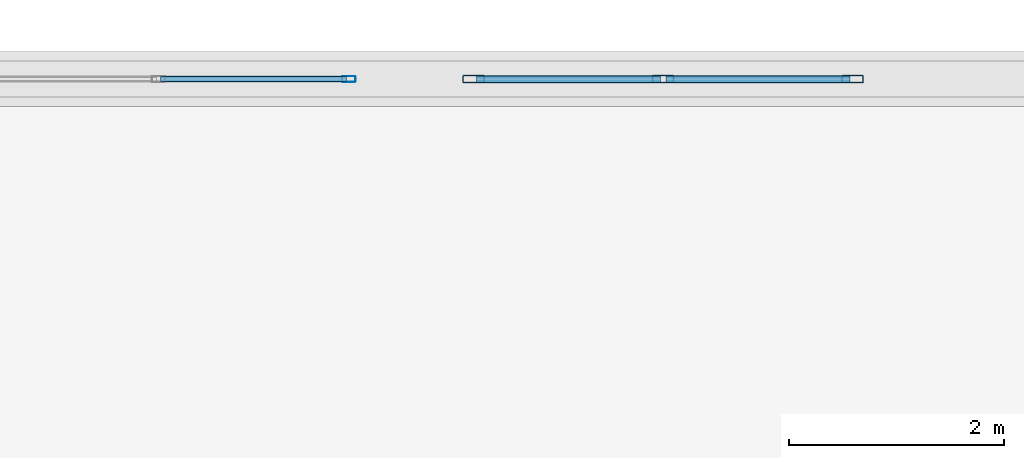
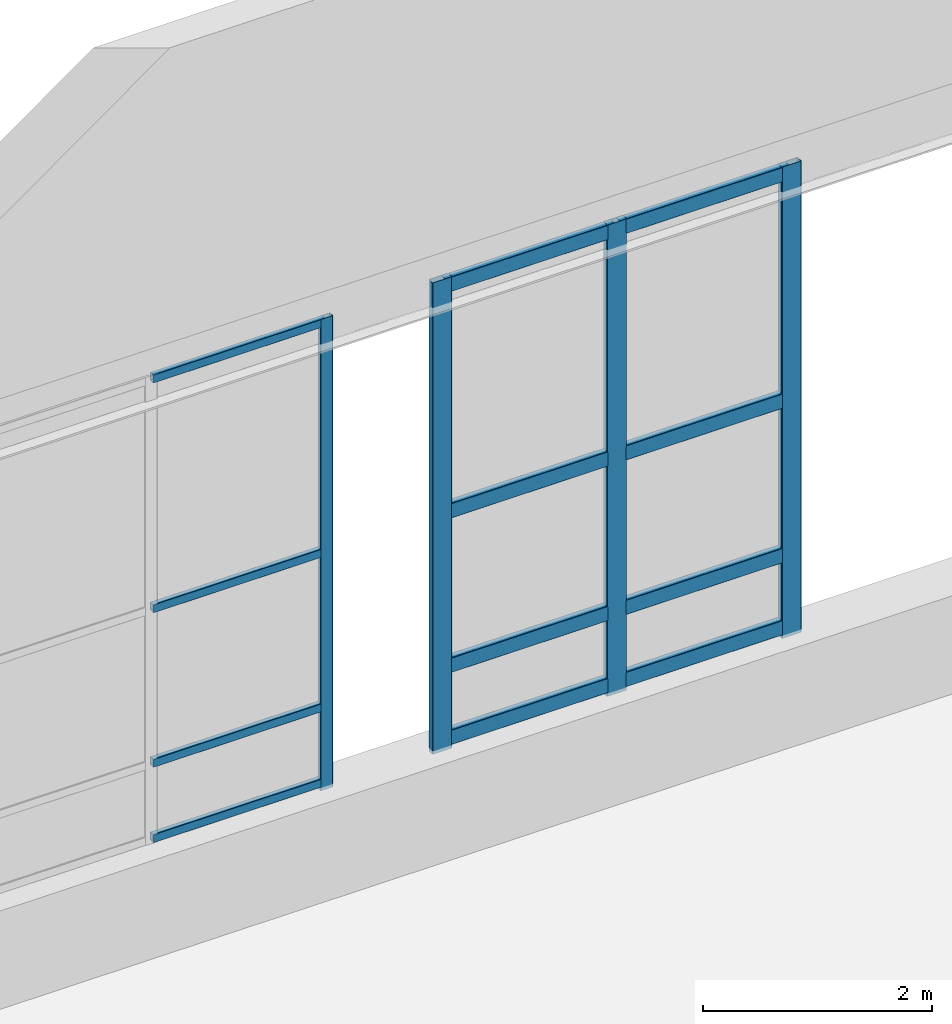
# One storey, part 152 of 197: 16 members, 2 elements without a shape of their own.
"""IFC4 building model written with IfcOpenShell, lengths in metres."""

from ifc_helpers import new_model, si_unit, derived_unit, direction, frame, origin, origin_2d, place, context, subcontext, project, spatial, hollow_rectangle, extrude, material, layer, layer_set, material_profile, profile_set, type_object, element, aggregate, save


model = new_model("IFC4")

# Units and contexts
model_context = context("Model", 3, precision=1e-05, world=origin(), true_north=direction((0.0, 1.0)))
body_context = subcontext(model_context, "Body", "Model", "MODEL_VIEW")
ifc_project = project(units=[si_unit("LENGTHUNIT", "METRE"), si_unit("AREAUNIT", "SQUARE_METRE"), si_unit("VOLUMEUNIT", "CUBIC_METRE"), si_unit("PLANEANGLEUNIT", "RADIAN"), si_unit("MASSUNIT", "GRAM", prefix="KILO"), derived_unit("THERMALTRANSMITTANCEUNIT", [(si_unit("POWERUNIT", "WATT"), 1), (si_unit("LENGTHUNIT", "METRE"), -2), (si_unit("THERMODYNAMICTEMPERATUREUNIT", "KELVIN"), -1)])], contexts=[model_context])

# Site, building, storey
site_placement = place(None, origin())
site = spatial("IfcSite", under=ifc_project, at=site_placement, CompositionType="ELEMENT")
building_placement = place(site_placement, origin())
building = spatial("IfcBuilding", under=site, at=building_placement, Name="Almenara Railside Exhibition Hall", CompositionType="ELEMENT")
storey_placement = place(building_placement, frame((0.0, 0.0, 5.39990234375)))
storey = spatial("IfcBuildingStorey", under=building, at=storey_placement, Name="L01", CompositionType="ELEMENT", Elevation=5.39990234375)

# Curtain wall, member
ifc_material_1 = material(Name="Bronze-anodised aluminium and low-E double glazing", Category="aluminium")
ifc_layer = layer(ifc_material_1, 0.179931640625, Name="Bronze-anodised aluminium and low-E double glazing")
ifc_layer_set = layer_set([ifc_layer], Name="Bronze-anodised aluminium and low-E double glazing")
curtain_wall_type = type_object("IfcCurtainWallType", Name="Scroll Gable Standard Curtain Wall 3600x5000", PredefinedType="NOTDEFINED", material=ifc_layer_set)
curtain_wall_1_placement = place(storey_placement, origin())
curtain_wall_1 = element("IfcCurtainWall", 1, at=curtain_wall_1_placement, inside=storey, type_object=curtain_wall_type, Name="Curtain wall CW-G2-091", PredefinedType="NOTDEFINED")
ifc_material_2 = material(Name="Bronze-anodised aluminium", Category="aluminium")
ifc_material_profile_1 = material_profile(ifc_material_2, hollow_rectangle(XDim=0.054931640625, YDim=0.125, WallThickness=0.0029296875, InnerFilletRadius=0.0029296875, OuterFilletRadius=0.006103515625, at=origin_2d()), Name="ALU-MUL 55x125x3")
ifc_profile_set_1 = profile_set([ifc_material_profile_1], Name="Bronze-anodised aluminium")
member_type_1 = type_object("IfcMemberType", Name="Curtain Wall Mullion 55x125x3", PredefinedType="MULLION", material=ifc_profile_set_1)
member_1_placement = place(storey_placement, frame((176.472412109375, 132.0, 1.01513671875), z_axis=(0.0, 0.0, 1.0), x_axis=(0.0, 1.0, 0.0)))
member_1 = element("IfcMember", 2, at=member_1_placement, type_object=member_type_1, Name="CW-G2-091 mullion 3", PredefinedType="MULLION", context=body_context, shape_type="SweptSolid", body=[
    extrude(hollow_rectangle(XDim=0.054931640625, YDim=0.125, WallThickness=0.0029296875, InnerFilletRadius=0.0029296875, OuterFilletRadius=0.006103515625, at=origin_2d()), origin(), (0.0, 0.0, 1.0), 5.034912109375),
])

# Curtain wall, members
curtain_wall_2_placement = place(storey_placement, origin())
curtain_wall_2 = element("IfcCurtainWall", 3, at=curtain_wall_2_placement, inside=storey, type_object=curtain_wall_type, Name="Curtain wall CW-G2-092", PredefinedType="NOTDEFINED")
ifc_material_profile_2 = material_profile(ifc_material_2, hollow_rectangle(XDim=0.070068359375, YDim=0.199951171875, WallThickness=0.00439453125, InnerFilletRadius=0.00439453125, OuterFilletRadius=0.009033203125, at=origin_2d()), Name="ALU-MUL 70x200x4.5")
ifc_profile_set_2 = profile_set([ifc_material_profile_2], Name="Bronze-anodised aluminium")
member_type_2 = type_object("IfcMemberType", Name="Curtain Wall Mullion 70x200x4.5", PredefinedType="MULLION", material=ifc_profile_set_2)
member_2_placement = place(storey_placement, frame((177.635009765625, 132.0, 1.01513671875), z_axis=(0.0, 0.0, 1.0), x_axis=(0.0, 1.0, 0.0)))
member_2 = element("IfcMember", 4, at=member_2_placement, type_object=member_type_2, Name="CW-G2-092 mullion 1", PredefinedType="MULLION", context=body_context, shape_type="SweptSolid", body=[
    extrude(hollow_rectangle(XDim=0.070068359375, YDim=0.199951171875, WallThickness=0.00439453125, InnerFilletRadius=0.00439453125, OuterFilletRadius=0.009033203125, at=origin_2d()), origin(), (0.0, 0.0, 1.0), 5.034912109375),
])
member_3_placement = place(storey_placement, frame((179.39990234375, 132.0, 1.01513671875), z_axis=(0.0, 0.0, 1.0), x_axis=(0.0, 1.0, 0.0)))
member_3 = element("IfcMember", 5, at=member_3_placement, type_object=member_type_2, Name="CW-G2-092 mullion 2", PredefinedType="MULLION", context=body_context, shape_type="SweptSolid", body=[
    extrude(hollow_rectangle(XDim=0.070068359375, YDim=0.199951171875, WallThickness=0.00439453125, InnerFilletRadius=0.00439453125, OuterFilletRadius=0.009033203125, at=origin_2d()), origin(), (0.0, 0.0, 1.0), 5.034912109375),
])
member_4_placement = place(storey_placement, frame((181.1650390625, 132.0, 1.01513671875), z_axis=(0.0, 0.0, 1.0), x_axis=(0.0, 1.0, 0.0)))
member_4 = element("IfcMember", 6, at=member_4_placement, type_object=member_type_2, Name="CW-G2-092 mullion 3", PredefinedType="MULLION", context=body_context, shape_type="SweptSolid", body=[
    extrude(hollow_rectangle(XDim=0.070068359375, YDim=0.199951171875, WallThickness=0.00439453125, InnerFilletRadius=0.00439453125, OuterFilletRadius=0.009033203125, at=origin_2d()), origin(), (0.0, 0.0, 1.0), 5.034912109375),
])

# Member
ifc_material_profile_3 = material_profile(ifc_material_2, hollow_rectangle(XDim=0.054931640625, YDim=0.090087890625, WallThickness=0.0029296875, InnerFilletRadius=0.0029296875, OuterFilletRadius=0.006103515625, at=origin_2d()), Name="ALU-TRN 55x90x3")
ifc_profile_set_3 = profile_set([ifc_material_profile_3], Name="Bronze-anodised aluminium")
member_type_3 = type_object("IfcMemberType", Name="Curtain Wall Transom 55x90x3", PredefinedType="USERDEFINED", material=ifc_profile_set_3)
member_5_placement = place(storey_placement, frame((174.719482421875, 132.0, 1.09521484375), z_axis=(1.0, 0.0, 0.0), x_axis=(0.0, 1.0, 0.0)))
member_5 = element("IfcMember", 7, at=member_5_placement, type_object=member_type_3, Name="CW-G2-091 transom 2.1", ObjectType="TRANSOM", PredefinedType="USERDEFINED", context=body_context, shape_type="SweptSolid", body=[
    extrude(hollow_rectangle(XDim=0.054931640625, YDim=0.090087890625, WallThickness=0.0029296875, InnerFilletRadius=0.0029296875, OuterFilletRadius=0.006103515625, at=origin_2d()), origin(), (0.0, 0.0, 1.0), 1.7333984375),
])

member_6_placement = place(storey_placement, frame((174.719482421875, 132.0, 1.900146484375), z_axis=(1.0, 0.0, 0.0), x_axis=(0.0, 1.0, 0.0)))
member_6 = element("IfcMember", 8, at=member_6_placement, type_object=member_type_3, Name="CW-G2-091 transom 2.2", ObjectType="TRANSOM", PredefinedType="USERDEFINED", context=body_context, shape_type="SweptSolid", body=[
    extrude(hollow_rectangle(XDim=0.054931640625, YDim=0.090087890625, WallThickness=0.0029296875, InnerFilletRadius=0.0029296875, OuterFilletRadius=0.006103515625, at=origin_2d()), origin(), (0.0, 0.0, 1.0), 1.7333984375),
])

member_7_placement = place(storey_placement, frame((174.719482421875, 132.0, 3.550048828125), z_axis=(1.0, 0.0, 0.0), x_axis=(0.0, 1.0, 0.0)))
member_7 = element("IfcMember", 9, at=member_7_placement, type_object=member_type_3, Name="CW-G2-091 transom 2.3", ObjectType="TRANSOM", PredefinedType="USERDEFINED", context=body_context, shape_type="SweptSolid", body=[
    extrude(hollow_rectangle(XDim=0.054931640625, YDim=0.090087890625, WallThickness=0.0029296875, InnerFilletRadius=0.0029296875, OuterFilletRadius=0.006103515625, at=origin_2d()), origin(), (0.0, 0.0, 1.0), 1.7333984375),
])

member_8_placement = place(storey_placement, frame((174.719482421875, 132.0, 6.005126953125), z_axis=(1.0, 0.0, 0.0), x_axis=(0.0, 1.0, 0.0)))
member_8 = element("IfcMember", 10, at=member_8_placement, type_object=member_type_3, Name="CW-G2-091 transom 2.4", ObjectType="TRANSOM", PredefinedType="USERDEFINED", context=body_context, shape_type="SweptSolid", body=[
    extrude(hollow_rectangle(XDim=0.054931640625, YDim=0.090087890625, WallThickness=0.0029296875, InnerFilletRadius=0.0029296875, OuterFilletRadius=0.006103515625, at=origin_2d()), origin(), (0.0, 0.0, 1.0), 1.7333984375),
])

aggregate(curtain_wall_1, [member_1, member_5, member_6, member_7, member_8])

ifc_material_profile_4 = material_profile(ifc_material_2, hollow_rectangle(XDim=0.070068359375, YDim=0.159912109375, WallThickness=0.00390625, InnerFilletRadius=0.00390625, OuterFilletRadius=0.008056640625, at=origin_2d()), Name="ALU-TRN 70x160x4")
ifc_profile_set_4 = profile_set([ifc_material_profile_4], Name="Bronze-anodised aluminium")
member_type_4 = type_object("IfcMemberType", Name="Curtain Wall Transom 70x160x4", PredefinedType="USERDEFINED", material=ifc_profile_set_4)
member_9_placement = place(storey_placement, frame((177.662109375, 132.0, 1.130126953125), z_axis=(1.0, 0.0, 0.0), x_axis=(0.0, 1.0, 0.0)))
member_9 = element("IfcMember", 11, at=member_9_placement, type_object=member_type_4, Name="CW-G2-092 transom 1.1", ObjectType="TRANSOM", PredefinedType="USERDEFINED", context=body_context, shape_type="SweptSolid", body=[
    extrude(hollow_rectangle(XDim=0.070068359375, YDim=0.159912109375, WallThickness=0.00390625, InnerFilletRadius=0.00390625, OuterFilletRadius=0.008056640625, at=origin_2d()), origin(), (0.0, 0.0, 1.0), 1.7109375),
])

member_10_placement = place(storey_placement, frame((177.662109375, 132.0, 1.900146484375), z_axis=(1.0, 0.0, 0.0), x_axis=(0.0, 1.0, 0.0)))
member_10 = element("IfcMember", 12, at=member_10_placement, type_object=member_type_4, Name="CW-G2-092 transom 1.2", ObjectType="TRANSOM", PredefinedType="USERDEFINED", context=body_context, shape_type="SweptSolid", body=[
    extrude(hollow_rectangle(XDim=0.070068359375, YDim=0.159912109375, WallThickness=0.00390625, InnerFilletRadius=0.00390625, OuterFilletRadius=0.008056640625, at=origin_2d()), origin(), (0.0, 0.0, 1.0), 1.7109375),
])

member_11_placement = place(storey_placement, frame((177.662109375, 132.0, 3.550048828125), z_axis=(1.0, 0.0, 0.0), x_axis=(0.0, 1.0, 0.0)))
member_11 = element("IfcMember", 13, at=member_11_placement, type_object=member_type_4, Name="CW-G2-092 transom 1.3", ObjectType="TRANSOM", PredefinedType="USERDEFINED", context=body_context, shape_type="SweptSolid", body=[
    extrude(hollow_rectangle(XDim=0.070068359375, YDim=0.159912109375, WallThickness=0.00390625, InnerFilletRadius=0.00390625, OuterFilletRadius=0.008056640625, at=origin_2d()), origin(), (0.0, 0.0, 1.0), 1.7109375),
])

member_12_placement = place(storey_placement, frame((177.662109375, 132.0, 5.97021484375), z_axis=(1.0, 0.0, 0.0), x_axis=(0.0, 1.0, 0.0)))
member_12 = element("IfcMember", 14, at=member_12_placement, type_object=member_type_4, Name="CW-G2-092 transom 1.4", ObjectType="TRANSOM", PredefinedType="USERDEFINED", context=body_context, shape_type="SweptSolid", body=[
    extrude(hollow_rectangle(XDim=0.070068359375, YDim=0.159912109375, WallThickness=0.00390625, InnerFilletRadius=0.00390625, OuterFilletRadius=0.008056640625, at=origin_2d()), origin(), (0.0, 0.0, 1.0), 1.7109375),
])

member_13_placement = place(storey_placement, frame((179.427001953125, 132.0, 1.130126953125), z_axis=(1.0, 0.0, 0.0), x_axis=(0.0, 1.0, 0.0)))
member_13 = element("IfcMember", 15, at=member_13_placement, type_object=member_type_4, Name="CW-G2-092 transom 2.1", ObjectType="TRANSOM", PredefinedType="USERDEFINED", context=body_context, shape_type="SweptSolid", body=[
    extrude(hollow_rectangle(XDim=0.070068359375, YDim=0.159912109375, WallThickness=0.00390625, InnerFilletRadius=0.00390625, OuterFilletRadius=0.008056640625, at=origin_2d()), origin(), (0.0, 0.0, 1.0), 1.7109375),
])

member_14_placement = place(storey_placement, frame((179.427001953125, 132.0, 1.900146484375), z_axis=(1.0, 0.0, 0.0), x_axis=(0.0, 1.0, 0.0)))
member_14 = element("IfcMember", 16, at=member_14_placement, type_object=member_type_4, Name="CW-G2-092 transom 2.2", ObjectType="TRANSOM", PredefinedType="USERDEFINED", context=body_context, shape_type="SweptSolid", body=[
    extrude(hollow_rectangle(XDim=0.070068359375, YDim=0.159912109375, WallThickness=0.00390625, InnerFilletRadius=0.00390625, OuterFilletRadius=0.008056640625, at=origin_2d()), origin(), (0.0, 0.0, 1.0), 1.7109375),
])

member_15_placement = place(storey_placement, frame((179.427001953125, 132.0, 3.550048828125), z_axis=(1.0, 0.0, 0.0), x_axis=(0.0, 1.0, 0.0)))
member_15 = element("IfcMember", 17, at=member_15_placement, type_object=member_type_4, Name="CW-G2-092 transom 2.3", ObjectType="TRANSOM", PredefinedType="USERDEFINED", context=body_context, shape_type="SweptSolid", body=[
    extrude(hollow_rectangle(XDim=0.070068359375, YDim=0.159912109375, WallThickness=0.00390625, InnerFilletRadius=0.00390625, OuterFilletRadius=0.008056640625, at=origin_2d()), origin(), (0.0, 0.0, 1.0), 1.7109375),
])

member_16_placement = place(storey_placement, frame((179.427001953125, 132.0, 5.97021484375), z_axis=(1.0, 0.0, 0.0), x_axis=(0.0, 1.0, 0.0)))
member_16 = element("IfcMember", 18, at=member_16_placement, type_object=member_type_4, Name="CW-G2-092 transom 2.4", ObjectType="TRANSOM", PredefinedType="USERDEFINED", context=body_context, shape_type="SweptSolid", body=[
    extrude(hollow_rectangle(XDim=0.070068359375, YDim=0.159912109375, WallThickness=0.00390625, InnerFilletRadius=0.00390625, OuterFilletRadius=0.008056640625, at=origin_2d()), origin(), (0.0, 0.0, 1.0), 1.7109375),
])

aggregate(curtain_wall_2, [member_2, member_3, member_4, member_9, member_10, member_11, member_12, member_13, member_14, member_15, member_16])

save(model, "model.ifc")
